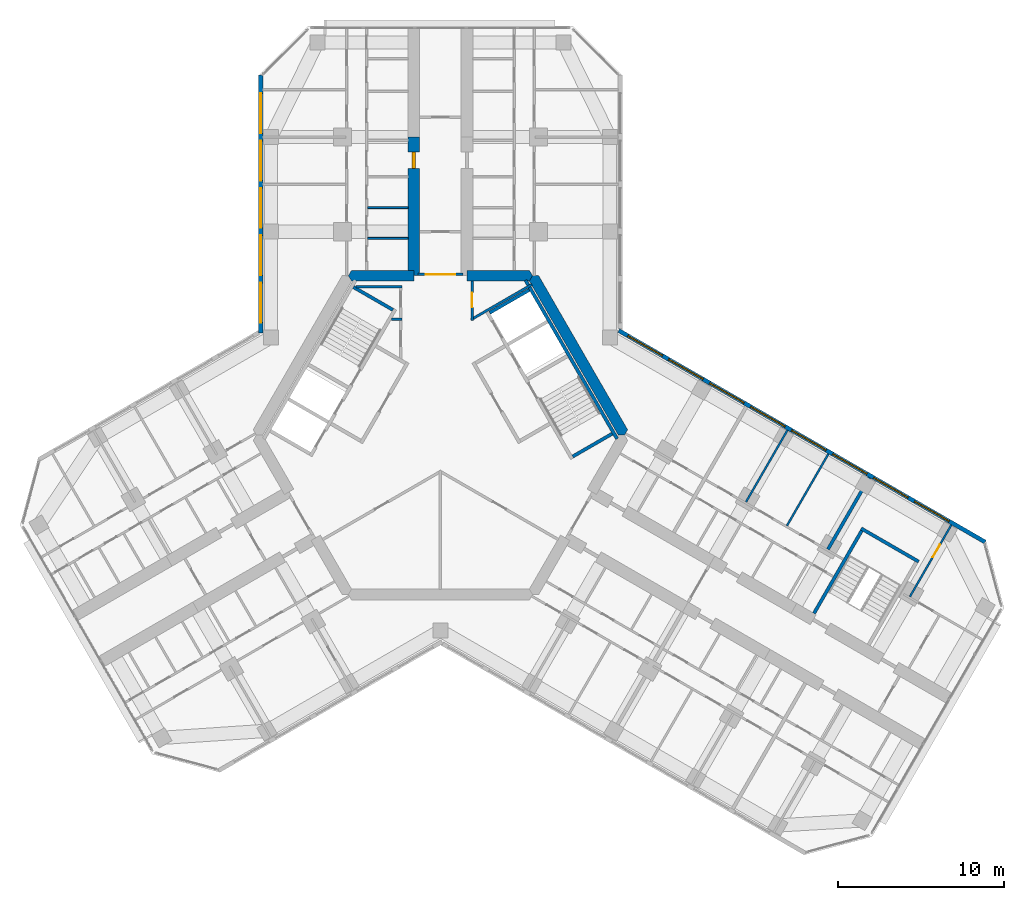
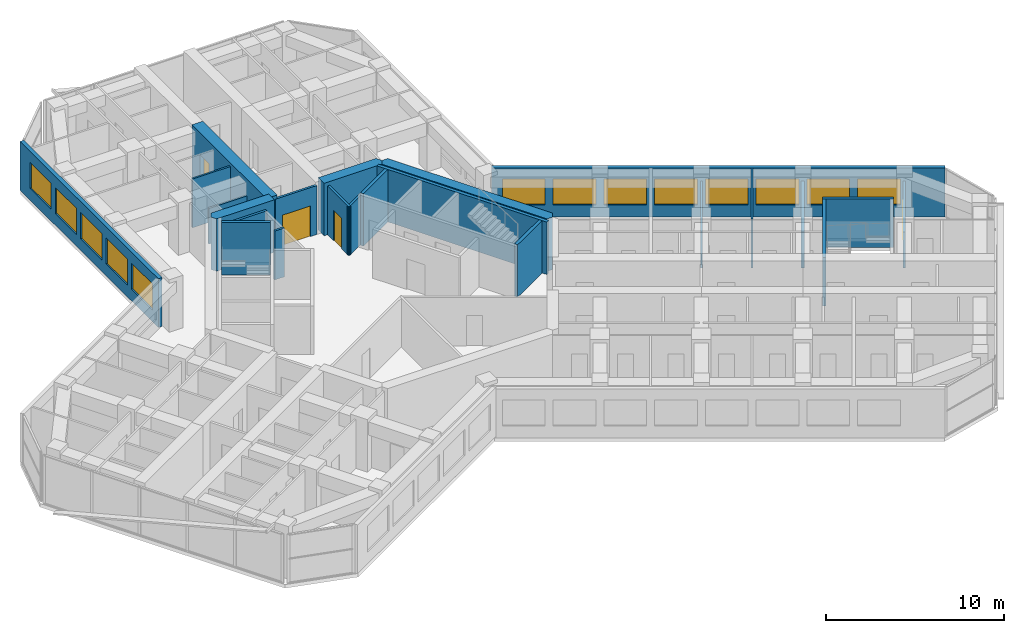
# One storey, part 13 of 16: 23 walls, 13 windows, 4 doors, 17 openings.
"""IFC4 building model written with IfcOpenShell, lengths in metres."""

from ifc_helpers import new_model, si_unit, direction, frame, frame_2d, origin, place, context, subcontext, project, spatial, polyline, rectangle, outline, extrude, material, layer, layer_set, type_object, element, fill, save


model = new_model("IFC4")

# Units and contexts
model_context = context("Model", 3, precision=1e-05, world=origin(), true_north=direction((0.0, 1.0)))
body_context = subcontext(model_context, "Body", "Model", "MODEL_VIEW")
ifc_project = project(units=[si_unit("LENGTHUNIT", "METRE"), si_unit("AREAUNIT", "SQUARE_METRE"), si_unit("VOLUMEUNIT", "CUBIC_METRE"), si_unit("PLANEANGLEUNIT", "RADIAN"), si_unit("MASSUNIT", "GRAM", prefix="KILO")], contexts=[model_context])

# Site, building, storey
site_placement = place(None, origin())
site = spatial("IfcSite", under=ifc_project, at=site_placement, CompositionType="ELEMENT")
building_placement = place(site_placement, origin())
building = spatial("IfcBuilding", under=site, at=building_placement, Name="Kosmar Iwan School Tower", CompositionType="ELEMENT")
storey_placement = place(building_placement, frame((0.0, 0.0, 201.0)))
storey = spatial("IfcBuildingStorey", under=building, at=storey_placement, Name="L50", CompositionType="ELEMENT", Elevation=201.0)

# Walls
ifc_material_1 = material(Name="Gypsum board on steel studs, fire-rated", Category="steel")
ifc_layer_1 = layer(ifc_material_1, 0.14990234375)
ifc_layer_set_1 = layer_set([ifc_layer_1], Name="Core room partition 150")
wall_type_1 = type_object("IfcWallType", Name="Core room partition 150", PredefinedType="PARTITIONING", material=ifc_layer_set_1)
wall_1_placement = place(storey_placement, frame((-2.324951171875, 6.985107421875, 0.0), z_axis=(0.0, 0.0, 1.0), x_axis=(-1.0, 0.0, 0.0)))
element("IfcWall", 1, at=wall_1_placement, inside=storey, type_object=wall_type_1, Name="Core room partition L50-CW2", PredefinedType="PARTITIONING", context=body_context, shape_type="SweptSolid", body=[
    extrude(rectangle(XDim=0.623779296875, YDim=0.14990234375, at=frame_2d((0.31201171875, 0.0))), origin(), (0.0, 0.0, 1.0), 3.35009765625),
])
wall_2_placement = place(storey_placement, frame((-5.089599609375, 8.93994140625, 0.0), z_axis=(0.0, 0.0, 1.0), x_axis=(1.0, 0.0, 0.0)))
element("IfcWall", 2, at=wall_2_placement, inside=storey, type_object=wall_type_1, Name="Core room partition L50-CW3", PredefinedType="PARTITIONING", context=body_context, shape_type="SweptSolid", body=[
    extrude(rectangle(XDim=2.7646484375, YDim=0.14990234375, at=frame_2d((1.38232421875, 0.0))), origin(), (0.0, 0.0, 1.0), 3.35009765625),
])
wall_3_placement = place(storey_placement, frame((5.499755859375, 9.064208984375, 0.0), z_axis=(0.0, 0.0, 1.0), x_axis=(-0.866040514841, -0.499973825969, 0.0)))
element("IfcWall", 3, at=wall_3_placement, inside=storey, type_object=wall_type_1, Name="Core room partition L50-CW8", PredefinedType="PARTITIONING", context=body_context, shape_type="SweptSolid", body=[
    extrude(rectangle(XDim=4.231689453125, YDim=0.14990234375, at=frame_2d((2.11572265625, 0.0))), origin(), (0.0, 0.0, 1.0), 3.35009765625),
])

# Wall, opening, door
wall_4_placement = place(storey_placement, frame((1.89990234375, 6.910888671875, 0.0), z_axis=(0.0, 0.0, 1.0), x_axis=(0.0, 1.0, 0.0)))
wall_4 = element("IfcWall", 4, at=wall_4_placement, inside=storey, type_object=wall_type_1, Name="Core room partition L50-CW9", PredefinedType="PARTITIONING", context=body_context, shape_type="SweptSolid", body=[
    extrude(rectangle(XDim=2.384033203125, YDim=0.14990234375, at=frame_2d((1.19189453125, 0.0))), origin(), (0.0, 0.0, 1.0), 3.35009765625),
])
opening_1_placement = place(wall_4_placement, frame((0.777099609375, 0.0, 0.0)))
opening_1 = element("IfcOpeningElement", 5, at=opening_1_placement, cuts=wall_4, Name="Opening D14", PredefinedType="OPENING", context=body_context, shape_type="SweptSolid", body=[
    extrude(rectangle(XDim=0.89990234375, YDim=2.10009765625, at=frame_2d((0.449951171875, 1.050048828125))), frame((0.0, 0.0869140625, 0.0), z_axis=(0.0, -1.0, 0.0), x_axis=(1.0, 0.0, 0.0)), (0.0, 0.0, 1.0), 0.173828125),
])
ifc_material_2 = material(Name="Timber fire door in steel frame", Category="steel")
door_type_1 = type_object("IfcDoorType", Name="Core room door 900x2100", OperationType="SINGLE_SWING_LEFT", PredefinedType="DOOR", material=ifc_material_2)
door_1_placement = place(opening_1_placement, origin())
door_1 = element("IfcDoor", 6, at=door_1_placement, inside=storey, type_object=door_type_1, Name="Water meter room door L50 5", OperationType="SINGLE_SWING_RIGHT", OverallHeight=2.10009765625, OverallWidth=0.89990234375, PredefinedType="DOOR", context=body_context, shape_type="SweptSolid", body=[
    extrude(rectangle(XDim=0.89990234375, YDim=2.10009765625, at=frame_2d((0.449951171875, 1.050048828125))), frame((0.0, 0.02490234375, 0.0), z_axis=(0.0, -1.0, 0.0), x_axis=(1.0, 0.0, 0.0)), (0.0, 0.0, 1.0), 0.050048828125),
])
fill(opening_1, door_1)

# Walls
ifc_material_3 = material(Name="Concrete C50/60", Category="concrete")
ifc_layer_2 = layer(ifc_material_3, 0.64990234375)
ifc_layer_set_2 = layer_set([ifc_layer_2], Name="Core wall 650")
wall_type_2 = type_object("IfcWallType", Name="Core wall 650", PredefinedType="SHEAR", material=ifc_layer_set_2)
wall_5_placement = place(storey_placement, origin())
element("IfcWall", 7, at=wall_5_placement, inside=storey, type_object=wall_type_2, Name="Core wall F030", PredefinedType="SHEAR", context=body_context, shape_type="SweptSolid", body=[
    extrude(outline(polyline([(10.7099609375, 0.0), (11.085205078125, 0.0), (11.272705078125, 0.324951171875), (5.917724609375, 9.60009765625), (5.54248046875, 9.60009765625), (5.35498046875, 9.27490234375), (10.7099609375, 0.0)])), origin(), (0.0, 0.0, 1.0), 3.60009765625),
])
wall_6_placement = place(storey_placement, origin())
element("IfcWall", 8, at=wall_6_placement, inside=storey, type_object=wall_type_2, Name="Core wall F090a", PredefinedType="SHEAR", context=body_context, shape_type="SweptSolid", body=[
    extrude(outline(polyline([(1.60009765625, 9.27490234375), (5.35498046875, 9.27490234375), (5.54248046875, 9.60009765625), (5.35498046875, 9.925048828125), (1.60009765625, 9.925048828125), (1.60009765625, 9.27490234375)])), origin(), (0.0, 0.0, 1.0), 3.60009765625),
])
wall_7_placement = place(storey_placement, origin())
element("IfcWall", 9, at=wall_7_placement, inside=storey, type_object=wall_type_2, Name="Core wall F090b", PredefinedType="SHEAR", context=body_context, shape_type="SweptSolid", body=[
    extrude(outline(polyline([(-5.35498046875, 9.27490234375), (-1.60009765625, 9.27490234375), (-1.60009765625, 9.925048828125), (-5.35498046875, 9.925048828125), (-5.54248046875, 9.60009765625), (-5.35498046875, 9.27490234375)])), origin(), (0.0, 0.0, 1.0), 3.60009765625),
])

# Wall, opening, door
ifc_material_4 = material(Name="Concrete C50/60", Category="concrete")
ifc_layer_3 = layer(ifc_material_4, 0.699951171875)
ifc_layer_set_3 = layer_set([ifc_layer_3], Name="Corridor buttress wall 700")
wall_type_3 = type_object("IfcWallType", Name="Corridor buttress wall 700", PredefinedType="SHEAR", material=ifc_layer_set_3)
wall_8_placement = place(storey_placement, frame((-1.60009765625, 9.60009765625, 0.0), z_axis=(0.0, 0.0, 1.0), x_axis=(0.0, 1.0, 0.0)))
wall_8 = element("IfcWall", 10, at=wall_8_placement, inside=storey, type_object=wall_type_3, Name="Corridor wall AL", PredefinedType="SHEAR", context=body_context, shape_type="SweptSolid", body=[
    extrude(rectangle(XDim=8.349853515625, YDim=0.699951171875, at=frame_2d((4.1748046875, 0.0))), origin(), (0.0, 0.0, 1.0), 3.60009765625),
])
opening_2_placement = place(wall_8_placement, frame((6.449951171875, 0.0, 0.0)))
opening_2 = element("IfcOpeningElement", 11, at=opening_2_placement, cuts=wall_8, Name="Opening D1", PredefinedType="OPENING", context=body_context, shape_type="SweptSolid", body=[
    extrude(rectangle(XDim=1.0, YDim=2.10009765625, at=frame_2d((0.5, 1.050048828125))), frame((0.0, 0.362060546875, 0.0), z_axis=(0.0, -1.0, 0.0), x_axis=(1.0, 0.0, 0.0)), (0.0, 0.0, 1.0), 0.723876953125),
])
ifc_material_5 = material(Name="Timber fire door in steel frame", Category="steel")
door_type_2 = type_object("IfcDoorType", Name="Flat entrance door 1000x2100", OperationType="SINGLE_SWING_LEFT", PredefinedType="DOOR", material=ifc_material_5)
door_2_placement = place(opening_2_placement, origin())
door_2 = element("IfcDoor", 12, at=door_2_placement, inside=storey, type_object=door_type_2, Name="Flat L50-AL1 entrance door", OperationType="SINGLE_SWING_LEFT", OverallHeight=2.10009765625, OverallWidth=1.0, PredefinedType="DOOR", context=body_context, shape_type="SweptSolid", body=[
    extrude(rectangle(XDim=1.0, YDim=2.10009765625, at=frame_2d((0.5, 1.050048828125))), frame((0.0, 0.10009765625, 0.0), z_axis=(0.0, -1.0, 0.0), x_axis=(1.0, 0.0, 0.0)), (0.0, 0.0, 1.0), 0.199951171875),
])
fill(opening_2, door_2)

ifc_material_6 = material(Name="Steel framed glazed screen", Category="steel")
ifc_layer_4 = layer(ifc_material_6, 0.14990234375)
ifc_layer_set_4 = layer_set([ifc_layer_4], Name="Corridor screen wall 150")
wall_type_4 = type_object("IfcWallType", Name="Corridor screen wall 150", PredefinedType="PARTITIONING", material=ifc_layer_set_4)
wall_9_placement = place(storey_placement, frame((1.35009765625, 9.675048828125, 0.0), z_axis=(0.0, 0.0, 1.0), x_axis=(-1.0, 0.0, 0.0)))
wall_9 = element("IfcWall", 13, at=wall_9_placement, inside=storey, type_object=wall_type_4, Name="Corridor screen A L50", PredefinedType="PARTITIONING", context=body_context, shape_type="SweptSolid", body=[
    extrude(rectangle(XDim=2.7001953125, YDim=0.14990234375, at=frame_2d((1.35009765625, 0.0))), origin(), (0.0, 0.0, 1.0), 3.35009765625),
])
opening_3_placement = place(wall_9_placement, frame((0.449951171875, 0.0, 0.0)))
opening_3 = element("IfcOpeningElement", 14, at=opening_3_placement, cuts=wall_9, Name="Opening D9", PredefinedType="OPENING", context=body_context, shape_type="SweptSolid", body=[
    extrude(rectangle(XDim=1.800048828125, YDim=2.10009765625, at=frame_2d((0.89990234375, 1.050048828125))), frame((0.0, 0.0869140625, 0.0), z_axis=(0.0, -1.0, 0.0), x_axis=(1.0, 0.0, 0.0)), (0.0, 0.0, 1.0), 0.173828125),
])
ifc_material_7 = material(Name="Steel framed glazed smoke door", Category="steel")
door_type_3 = type_object("IfcDoorType", Name="Corridor smoke door pair 1800x2100", OperationType="DOUBLE_DOOR_DOUBLE_SWING", PredefinedType="DOOR", material=ifc_material_7)
door_3_placement = place(opening_3_placement, origin())
door_3 = element("IfcDoor", 15, at=door_3_placement, inside=storey, type_object=door_type_3, Name="Corridor doors A L50", OperationType="DOUBLE_DOOR_DOUBLE_SWING", OverallHeight=2.10009765625, OverallWidth=1.800048828125, PredefinedType="DOOR", context=body_context, shape_type="SweptSolid", body=[
    extrude(rectangle(XDim=1.800048828125, YDim=2.10009765625, at=frame_2d((0.89990234375, 1.050048828125))), frame((0.0, 0.02490234375, 0.0), z_axis=(0.0, -1.0, 0.0), x_axis=(1.0, 0.0, 0.0)), (0.0, 0.0, 1.0), 0.050048828125),
])
fill(opening_3, door_3)

# Walls
ifc_material_8 = material(Name="Gypsum board on steel studs", Category="steel")
ifc_layer_5 = layer(ifc_material_8, 0.1201171875)
ifc_layer_set_5 = layer_set([ifc_layer_5], Name="Dwelling partition 120")
wall_type_5 = type_object("IfcWallType", Name="Dwelling partition 120", PredefinedType="PARTITIONING", material=ifc_layer_set_5)
wall_10_placement = place(storey_placement, frame((-1.949951171875, 11.85009765625, 0.0), z_axis=(0.0, 0.0, 1.0), x_axis=(-1.0, 0.0, 0.0)))
element("IfcWall", 16, at=wall_10_placement, inside=storey, type_object=wall_type_5, Name="Partition L50-AL1-Y1", PredefinedType="PARTITIONING", context=body_context, shape_type="SweptSolid", body=[
    extrude(rectangle(XDim=2.43994140625, YDim=0.1201171875, at=frame_2d((1.219970703125, 0.0))), origin(), (0.0, 0.0, 1.0), 2.449951171875),
])
wall_11_placement = place(storey_placement, frame((-1.949951171875, 13.699951171875, 0.0), z_axis=(0.0, 0.0, 1.0), x_axis=(-1.0, 0.0, 0.0)))
element("IfcWall", 17, at=wall_11_placement, inside=storey, type_object=wall_type_5, Name="Partition L50-AL1-Y2", PredefinedType="PARTITIONING", context=body_context, shape_type="SweptSolid", body=[
    extrude(rectangle(XDim=2.43994140625, YDim=0.1201171875, at=frame_2d((1.219970703125, 0.0))), origin(), (0.0, 0.0, 1.0), 3.35009765625),
])
wall_12_placement = place(storey_placement, frame((18.400146484375, -4.030029296875, 0.0), z_axis=(0.0, 0.0, 1.0), x_axis=(0.500011847778, 0.866018563358, 0.0)))
element("IfcWall", 18, at=wall_12_placement, inside=storey, type_object=wall_type_5, Name="Partition L50-CL2-X1", PredefinedType="PARTITIONING", context=body_context, shape_type="SweptSolid", body=[
    extrude(rectangle(XDim=4.990234375, YDim=0.1201171875, at=frame_2d((2.4951171875, 0.0))), origin(), (0.0, 0.0, 1.0), 2.449951171875),
])
wall_13_placement = place(storey_placement, frame((20.868408203125, -5.455078125, 0.0), z_axis=(0.0, 0.0, 1.0), x_axis=(0.499975153383, 0.86603974851, 0.0)))
element("IfcWall", 19, at=wall_13_placement, inside=storey, type_object=wall_type_5, Name="Partition L50-CL2-X2", PredefinedType="PARTITIONING", context=body_context, shape_type="SweptSolid", body=[
    extrude(rectangle(XDim=4.989990234375, YDim=0.1201171875, at=frame_2d((2.4951171875, 0.0))), origin(), (0.0, 0.0, 1.0), 3.35009765625),
])

# Wall, opening, door
wall_14_placement = place(storey_placement, frame((28.27294921875, -9.72998046875, 0.0), z_axis=(0.0, 0.0, 1.0), x_axis=(0.499975153383, 0.86603974851, 0.0)))
wall_14 = element("IfcWall", 20, at=wall_14_placement, inside=storey, type_object=wall_type_5, Name="Partition L50-CL3-TX", PredefinedType="PARTITIONING", context=body_context, shape_type="SweptSolid", body=[
    extrude(rectangle(XDim=4.989990234375, YDim=0.1201171875, at=frame_2d((2.4951171875, 0.0))), origin(), (0.0, 0.0, 1.0), 2.449951171875),
])
opening_4_placement = place(wall_14_placement, frame((2.739990234375, 0.0, 0.0)))
opening_4 = element("IfcOpeningElement", 21, at=opening_4_placement, cuts=wall_14, Name="Opening D2", PredefinedType="OPENING", context=body_context, shape_type="SweptSolid", body=[
    extrude(rectangle(XDim=0.89990234375, YDim=2.10009765625, at=frame_2d((0.449951171875, 1.050048828125))), frame((0.0, 0.072021484375, 0.0), z_axis=(0.0, -1.0, 0.0), x_axis=(1.0, 0.0, 0.0)), (0.0, 0.0, 1.0), 0.14404296875),
])
ifc_material_9 = material(Name="Timber door in timber frame", Category="wood")
door_type_4 = type_object("IfcDoorType", Name="Internal door 900x2100", OperationType="SINGLE_SWING_LEFT", PredefinedType="DOOR", material=ifc_material_9)
door_4_placement = place(opening_4_placement, origin())
door_4 = element("IfcDoor", 22, at=door_4_placement, inside=storey, type_object=door_type_4, Name="Bedroom 1 door L50-CL3-T1", OperationType="SINGLE_SWING_RIGHT", OverallHeight=2.10009765625, OverallWidth=0.89990234375, PredefinedType="DOOR", context=body_context, shape_type="SweptSolid", body=[
    extrude(rectangle(XDim=0.89990234375, YDim=2.10009765625, at=frame_2d((0.449951171875, 1.050048828125))), frame((0.0, 0.02490234375, 0.0), z_axis=(0.0, -1.0, 0.0), x_axis=(1.0, 0.0, 0.0)), (0.0, 0.0, 1.0), 0.050048828125),
])
fill(opening_4, door_4)

# Walls
ifc_material_10 = material(Name="Concrete C35/45", Category="concrete")
ifc_layer_6 = layer(ifc_material_10, 0.199951171875)
ifc_layer_set_6 = layer_set([ifc_layer_6], Name="Escape stair wall 200")
wall_type_6 = type_object("IfcWallType", Name="Escape stair wall 200", PredefinedType="SHEAR", material=ifc_layer_set_6)
wall_15_placement = place(storey_placement, frame((22.49560546875, -10.736328125, 0.0), z_axis=(0.0, 0.0, 1.0), x_axis=(0.500013701029, 0.866017493347, 0.0)))
element("IfcWall", 23, at=wall_15_placement, inside=storey, type_object=wall_type_6, Name="Stair WS3 wall", PredefinedType="SHEAR", context=body_context, shape_type="SweptSolid", body=[
    extrude(rectangle(XDim=5.949951171875, YDim=0.199951171875, at=frame_2d((2.97509765625, 0.0))), origin(), (0.0, 0.0, 1.0), 3.330078125),
])
wall_16_placement = place(storey_placement, frame((25.334228515625, -5.6201171875, 0.0), z_axis=(0.0, 0.0, 1.0), x_axis=(0.866026010844, -0.49999894854, 0.0)))
element("IfcWall", 24, at=wall_16_placement, inside=storey, type_object=wall_type_6, Name="Stair WS3 wall", PredefinedType="SHEAR", context=body_context, shape_type="SweptSolid", body=[
    extrude(rectangle(XDim=4.0, YDim=0.199951171875, at=frame_2d((2.0, 0.0))), origin(), (0.0, 0.0, 1.0), 3.330078125),
])

# Wall, openings, windows
ifc_material_11 = material(Name="Black aluminium rainscreen on insulated framing", Category="aluminium")
ifc_layer_7 = layer(ifc_material_11, 0.25)
ifc_layer_set_7 = layer_set([ifc_layer_7], Name="External wall rainscreen 250")
wall_type_7 = type_object("IfcWallType", Name="External wall rainscreen 250", PredefinedType="SOLIDWALL", material=ifc_layer_set_7)
wall_17_placement = place(storey_placement, frame((10.73681640625, 6.30078125, 0.0), z_axis=(0.0, 0.0, 1.0), x_axis=(0.866026390279, -0.499998291337, 0.0)))
wall_17 = element("IfcWall", 25, at=wall_17_placement, inside=storey, type_object=wall_type_7, Name="External wall CL L50", PredefinedType="SOLIDWALL", context=body_context, shape_type="SweptSolid", body=[
    extrude(rectangle(XDim=25.4873046875, YDim=0.25, at=frame_2d((12.74365234375, 0.0))), origin(), (0.0, 0.0, 1.0), 3.35009765625),
])
opening_5_placement = place(wall_17_placement, frame((0.626953125, 0.0, 0.800048828125)))
opening_5 = element("IfcOpeningElement", 26, at=opening_5_placement, cuts=wall_17, Name="Opening W5", PredefinedType="OPENING", context=body_context, shape_type="SweptSolid", body=[
    extrude(rectangle(XDim=2.39990234375, YDim=1.800048828125, at=frame_2d((1.199951171875, 0.89990234375))), frame((0.0, 0.136962890625, 0.0), z_axis=(0.0, -1.0, 0.0), x_axis=(1.0, 0.0, 0.0)), (0.0, 0.0, 1.0), 0.27392578125),
])
opening_6_placement = place(wall_17_placement, frame((3.47705078125, 0.0, 0.800048828125)))
opening_6 = element("IfcOpeningElement", 27, at=opening_6_placement, cuts=wall_17, Name="Opening W5", PredefinedType="OPENING", context=body_context, shape_type="SweptSolid", body=[
    extrude(rectangle(XDim=2.39990234375, YDim=1.800048828125, at=frame_2d((1.199951171875, 0.89990234375))), frame((0.0, 0.136962890625, 0.0), z_axis=(0.0, -1.0, 0.0), x_axis=(1.0, 0.0, 0.0)), (0.0, 0.0, 1.0), 0.27392578125),
])
opening_7_placement = place(wall_17_placement, frame((6.326904296875, 0.0, 0.800048828125)))
opening_7 = element("IfcOpeningElement", 28, at=opening_7_placement, cuts=wall_17, Name="Opening W5", PredefinedType="OPENING", context=body_context, shape_type="SweptSolid", body=[
    extrude(rectangle(XDim=2.39990234375, YDim=1.800048828125, at=frame_2d((1.199951171875, 0.89990234375))), frame((0.0, 0.136962890625, 0.0), z_axis=(0.0, -1.0, 0.0), x_axis=(1.0, 0.0, 0.0)), (0.0, 0.0, 1.0), 0.27392578125),
])
opening_8_placement = place(wall_17_placement, frame((9.177001953125, 0.0, 0.800048828125)))
opening_8 = element("IfcOpeningElement", 29, at=opening_8_placement, cuts=wall_17, Name="Opening W5", PredefinedType="OPENING", context=body_context, shape_type="SweptSolid", body=[
    extrude(rectangle(XDim=2.39990234375, YDim=1.800048828125, at=frame_2d((1.199951171875, 0.89990234375))), frame((0.0, 0.136962890625, 0.0), z_axis=(0.0, -1.0, 0.0), x_axis=(1.0, 0.0, 0.0)), (0.0, 0.0, 1.0), 0.27392578125),
])
opening_9_placement = place(wall_17_placement, frame((12.027099609375, 0.0, 0.800048828125)))
opening_9 = element("IfcOpeningElement", 30, at=opening_9_placement, cuts=wall_17, Name="Opening W5", PredefinedType="OPENING", context=body_context, shape_type="SweptSolid", body=[
    extrude(rectangle(XDim=2.39990234375, YDim=1.800048828125, at=frame_2d((1.199951171875, 0.89990234375))), frame((0.0, 0.136962890625, 0.0), z_axis=(0.0, -1.0, 0.0), x_axis=(1.0, 0.0, 0.0)), (0.0, 0.0, 1.0), 0.27392578125),
])
opening_10_placement = place(wall_17_placement, frame((14.876953125, 0.0, 0.800048828125)))
opening_10 = element("IfcOpeningElement", 31, at=opening_10_placement, cuts=wall_17, Name="Opening W5", PredefinedType="OPENING", context=body_context, shape_type="SweptSolid", body=[
    extrude(rectangle(XDim=2.39990234375, YDim=1.800048828125, at=frame_2d((1.199951171875, 0.89990234375))), frame((0.0, 0.136962890625, 0.0), z_axis=(0.0, -1.0, 0.0), x_axis=(1.0, 0.0, 0.0)), (0.0, 0.0, 1.0), 0.27392578125),
])
opening_11_placement = place(wall_17_placement, frame((17.72705078125, 0.0, 0.800048828125)))
opening_11 = element("IfcOpeningElement", 32, at=opening_11_placement, cuts=wall_17, Name="Opening W5", PredefinedType="OPENING", context=body_context, shape_type="SweptSolid", body=[
    extrude(rectangle(XDim=2.39990234375, YDim=1.800048828125, at=frame_2d((1.199951171875, 0.89990234375))), frame((0.0, 0.136962890625, 0.0), z_axis=(0.0, -1.0, 0.0), x_axis=(1.0, 0.0, 0.0)), (0.0, 0.0, 1.0), 0.27392578125),
])
opening_12_placement = place(wall_17_placement, frame((20.576904296875, 0.0, 0.800048828125)))
opening_12 = element("IfcOpeningElement", 33, at=opening_12_placement, cuts=wall_17, Name="Opening W5", PredefinedType="OPENING", context=body_context, shape_type="SweptSolid", body=[
    extrude(rectangle(XDim=2.39990234375, YDim=1.800048828125, at=frame_2d((1.199951171875, 0.89990234375))), frame((0.0, 0.136962890625, 0.0), z_axis=(0.0, -1.0, 0.0), x_axis=(1.0, 0.0, 0.0)), (0.0, 0.0, 1.0), 0.27392578125),
])
ifc_material_12 = material(Name="Black aluminium frame with dark triple glazing", Category="aluminium")
window_type = type_object("IfcWindowType", Name="Window 2400x1800", PartitioningType="SINGLE_PANEL", PredefinedType="WINDOW", material=ifc_material_12)
window_1_placement = place(opening_5_placement, origin())
window_1 = element("IfcWindow", 34, at=window_1_placement, inside=storey, type_object=window_type, Name="Window CL L50 -1", OverallHeight=1.800048828125, OverallWidth=2.39990234375, PartitioningType="SINGLE_PANEL", PredefinedType="WINDOW", context=body_context, shape_type="SweptSolid", body=[
    extrude(rectangle(XDim=2.39990234375, YDim=1.800048828125, at=frame_2d((1.199951171875, 0.89990234375))), frame((0.0, 0.030029296875, 0.0), z_axis=(0.0, -1.0, 0.0), x_axis=(1.0, 0.0, 0.0)), (0.0, 0.0, 1.0), 0.06005859375),
])
fill(opening_5, window_1)
window_2_placement = place(opening_6_placement, origin())
window_2 = element("IfcWindow", 35, at=window_2_placement, inside=storey, type_object=window_type, Name="Window CL L50 0", OverallHeight=1.800048828125, OverallWidth=2.39990234375, PartitioningType="SINGLE_PANEL", PredefinedType="WINDOW", context=body_context, shape_type="SweptSolid", body=[
    extrude(rectangle(XDim=2.39990234375, YDim=1.800048828125, at=frame_2d((1.199951171875, 0.89990234375))), frame((0.0, 0.030029296875, 0.0), z_axis=(0.0, -1.0, 0.0), x_axis=(1.0, 0.0, 0.0)), (0.0, 0.0, 1.0), 0.06005859375),
])
fill(opening_6, window_2)
window_3_placement = place(opening_7_placement, origin())
window_3 = element("IfcWindow", 36, at=window_3_placement, inside=storey, type_object=window_type, Name="Window CL L50 1", OverallHeight=1.800048828125, OverallWidth=2.39990234375, PartitioningType="SINGLE_PANEL", PredefinedType="WINDOW", context=body_context, shape_type="SweptSolid", body=[
    extrude(rectangle(XDim=2.39990234375, YDim=1.800048828125, at=frame_2d((1.199951171875, 0.89990234375))), frame((0.0, 0.030029296875, 0.0), z_axis=(0.0, -1.0, 0.0), x_axis=(1.0, 0.0, 0.0)), (0.0, 0.0, 1.0), 0.06005859375),
])
fill(opening_7, window_3)
window_4_placement = place(opening_8_placement, origin())
window_4 = element("IfcWindow", 37, at=window_4_placement, inside=storey, type_object=window_type, Name="Window CL L50 2", OverallHeight=1.800048828125, OverallWidth=2.39990234375, PartitioningType="SINGLE_PANEL", PredefinedType="WINDOW", context=body_context, shape_type="SweptSolid", body=[
    extrude(rectangle(XDim=2.39990234375, YDim=1.800048828125, at=frame_2d((1.199951171875, 0.89990234375))), frame((0.0, 0.030029296875, 0.0), z_axis=(0.0, -1.0, 0.0), x_axis=(1.0, 0.0, 0.0)), (0.0, 0.0, 1.0), 0.06005859375),
])
fill(opening_8, window_4)
window_5_placement = place(opening_9_placement, origin())
window_5 = element("IfcWindow", 38, at=window_5_placement, inside=storey, type_object=window_type, Name="Window CL L50 3", OverallHeight=1.800048828125, OverallWidth=2.39990234375, PartitioningType="SINGLE_PANEL", PredefinedType="WINDOW", context=body_context, shape_type="SweptSolid", body=[
    extrude(rectangle(XDim=2.39990234375, YDim=1.800048828125, at=frame_2d((1.199951171875, 0.89990234375))), frame((0.0, 0.030029296875, 0.0), z_axis=(0.0, -1.0, 0.0), x_axis=(1.0, 0.0, 0.0)), (0.0, 0.0, 1.0), 0.06005859375),
])
fill(opening_9, window_5)
window_6_placement = place(opening_10_placement, origin())
window_6 = element("IfcWindow", 39, at=window_6_placement, inside=storey, type_object=window_type, Name="Window CL L50 4", OverallHeight=1.800048828125, OverallWidth=2.39990234375, PartitioningType="SINGLE_PANEL", PredefinedType="WINDOW", context=body_context, shape_type="SweptSolid", body=[
    extrude(rectangle(XDim=2.39990234375, YDim=1.800048828125, at=frame_2d((1.199951171875, 0.89990234375))), frame((0.0, 0.030029296875, 0.0), z_axis=(0.0, -1.0, 0.0), x_axis=(1.0, 0.0, 0.0)), (0.0, 0.0, 1.0), 0.06005859375),
])
fill(opening_10, window_6)
window_7_placement = place(opening_11_placement, origin())
window_7 = element("IfcWindow", 40, at=window_7_placement, inside=storey, type_object=window_type, Name="Window CL L50 5", OverallHeight=1.800048828125, OverallWidth=2.39990234375, PartitioningType="SINGLE_PANEL", PredefinedType="WINDOW", context=body_context, shape_type="SweptSolid", body=[
    extrude(rectangle(XDim=2.39990234375, YDim=1.800048828125, at=frame_2d((1.199951171875, 0.89990234375))), frame((0.0, 0.030029296875, 0.0), z_axis=(0.0, -1.0, 0.0), x_axis=(1.0, 0.0, 0.0)), (0.0, 0.0, 1.0), 0.06005859375),
])
fill(opening_11, window_7)
window_8_placement = place(opening_12_placement, origin())
window_8 = element("IfcWindow", 41, at=window_8_placement, inside=storey, type_object=window_type, Name="Window CL L50 6", OverallHeight=1.800048828125, OverallWidth=2.39990234375, PartitioningType="SINGLE_PANEL", PredefinedType="WINDOW", context=body_context, shape_type="SweptSolid", body=[
    extrude(rectangle(XDim=2.39990234375, YDim=1.800048828125, at=frame_2d((1.199951171875, 0.89990234375))), frame((0.0, 0.030029296875, 0.0), z_axis=(0.0, -1.0, 0.0), x_axis=(1.0, 0.0, 0.0)), (0.0, 0.0, 1.0), 0.06005859375),
])
fill(opening_12, window_8)

wall_18_placement = place(storey_placement, frame((-10.824951171875, 6.14794921875, 0.0), z_axis=(0.0, 0.0, 1.0), x_axis=(0.0, 1.0, 0.0)))
wall_18 = element("IfcWall", 42, at=wall_18_placement, inside=storey, type_object=wall_type_7, Name="External wall AL L50", PredefinedType="SOLIDWALL", context=body_context, shape_type="SweptSolid", body=[
    extrude(rectangle(XDim=15.537353515625, YDim=0.25, at=frame_2d((7.7685546875, 0.0))), origin(), (0.0, 0.0, 1.0), 3.35009765625),
])
opening_13_placement = place(wall_18_placement, frame((0.626953125, 0.0, 0.800048828125)))
opening_13 = element("IfcOpeningElement", 43, at=opening_13_placement, cuts=wall_18, Name="Opening W5", PredefinedType="OPENING", context=body_context, shape_type="SweptSolid", body=[
    extrude(rectangle(XDim=2.39990234375, YDim=1.800048828125, at=frame_2d((1.199951171875, 0.89990234375))), frame((0.0, 0.136962890625, 0.0), z_axis=(0.0, -1.0, 0.0), x_axis=(1.0, 0.0, 0.0)), (0.0, 0.0, 1.0), 0.27392578125),
])
opening_14_placement = place(wall_18_placement, frame((3.47705078125, 0.0, 0.800048828125)))
opening_14 = element("IfcOpeningElement", 44, at=opening_14_placement, cuts=wall_18, Name="Opening W5", PredefinedType="OPENING", context=body_context, shape_type="SweptSolid", body=[
    extrude(rectangle(XDim=2.39990234375, YDim=1.800048828125, at=frame_2d((1.199951171875, 0.89990234375))), frame((0.0, 0.136962890625, 0.0), z_axis=(0.0, -1.0, 0.0), x_axis=(1.0, 0.0, 0.0)), (0.0, 0.0, 1.0), 0.27392578125),
])
opening_15_placement = place(wall_18_placement, frame((6.326904296875, 0.0, 0.800048828125)))
opening_15 = element("IfcOpeningElement", 45, at=opening_15_placement, cuts=wall_18, Name="Opening W5", PredefinedType="OPENING", context=body_context, shape_type="SweptSolid", body=[
    extrude(rectangle(XDim=2.39990234375, YDim=1.800048828125, at=frame_2d((1.199951171875, 0.89990234375))), frame((0.0, 0.136962890625, 0.0), z_axis=(0.0, -1.0, 0.0), x_axis=(1.0, 0.0, 0.0)), (0.0, 0.0, 1.0), 0.27392578125),
])
opening_16_placement = place(wall_18_placement, frame((9.177001953125, 0.0, 0.800048828125)))
opening_16 = element("IfcOpeningElement", 46, at=opening_16_placement, cuts=wall_18, Name="Opening W5", PredefinedType="OPENING", context=body_context, shape_type="SweptSolid", body=[
    extrude(rectangle(XDim=2.39990234375, YDim=1.800048828125, at=frame_2d((1.199951171875, 0.89990234375))), frame((0.0, 0.136962890625, 0.0), z_axis=(0.0, -1.0, 0.0), x_axis=(1.0, 0.0, 0.0)), (0.0, 0.0, 1.0), 0.27392578125),
])
opening_17_placement = place(wall_18_placement, frame((12.027099609375, 0.0, 0.800048828125)))
opening_17 = element("IfcOpeningElement", 47, at=opening_17_placement, cuts=wall_18, Name="Opening W5", PredefinedType="OPENING", context=body_context, shape_type="SweptSolid", body=[
    extrude(rectangle(XDim=2.39990234375, YDim=1.800048828125, at=frame_2d((1.199951171875, 0.89990234375))), frame((0.0, 0.136962890625, 0.0), z_axis=(0.0, -1.0, 0.0), x_axis=(1.0, 0.0, 0.0)), (0.0, 0.0, 1.0), 0.27392578125),
])
window_9_placement = place(opening_13_placement, origin())
window_9 = element("IfcWindow", 48, at=window_9_placement, inside=storey, type_object=window_type, Name="Window AL L50 -1", OverallHeight=1.800048828125, OverallWidth=2.39990234375, PartitioningType="SINGLE_PANEL", PredefinedType="WINDOW", context=body_context, shape_type="SweptSolid", body=[
    extrude(rectangle(XDim=2.39990234375, YDim=1.800048828125, at=frame_2d((1.199951171875, 0.89990234375))), frame((0.0, 0.030029296875, 0.0), z_axis=(0.0, -1.0, 0.0), x_axis=(1.0, 0.0, 0.0)), (0.0, 0.0, 1.0), 0.06005859375),
])
fill(opening_13, window_9)
window_10_placement = place(opening_14_placement, origin())
window_10 = element("IfcWindow", 49, at=window_10_placement, inside=storey, type_object=window_type, Name="Window AL L50 0", OverallHeight=1.800048828125, OverallWidth=2.39990234375, PartitioningType="SINGLE_PANEL", PredefinedType="WINDOW", context=body_context, shape_type="SweptSolid", body=[
    extrude(rectangle(XDim=2.39990234375, YDim=1.800048828125, at=frame_2d((1.199951171875, 0.89990234375))), frame((0.0, 0.030029296875, 0.0), z_axis=(0.0, -1.0, 0.0), x_axis=(1.0, 0.0, 0.0)), (0.0, 0.0, 1.0), 0.06005859375),
])
fill(opening_14, window_10)
window_11_placement = place(opening_15_placement, origin())
window_11 = element("IfcWindow", 50, at=window_11_placement, inside=storey, type_object=window_type, Name="Window AL L50 1", OverallHeight=1.800048828125, OverallWidth=2.39990234375, PartitioningType="SINGLE_PANEL", PredefinedType="WINDOW", context=body_context, shape_type="SweptSolid", body=[
    extrude(rectangle(XDim=2.39990234375, YDim=1.800048828125, at=frame_2d((1.199951171875, 0.89990234375))), frame((0.0, 0.030029296875, 0.0), z_axis=(0.0, -1.0, 0.0), x_axis=(1.0, 0.0, 0.0)), (0.0, 0.0, 1.0), 0.06005859375),
])
fill(opening_15, window_11)
window_12_placement = place(opening_16_placement, origin())
window_12 = element("IfcWindow", 51, at=window_12_placement, inside=storey, type_object=window_type, Name="Window AL L50 2", OverallHeight=1.800048828125, OverallWidth=2.39990234375, PartitioningType="SINGLE_PANEL", PredefinedType="WINDOW", context=body_context, shape_type="SweptSolid", body=[
    extrude(rectangle(XDim=2.39990234375, YDim=1.800048828125, at=frame_2d((1.199951171875, 0.89990234375))), frame((0.0, 0.030029296875, 0.0), z_axis=(0.0, -1.0, 0.0), x_axis=(1.0, 0.0, 0.0)), (0.0, 0.0, 1.0), 0.06005859375),
])
fill(opening_16, window_12)
window_13_placement = place(opening_17_placement, origin())
window_13 = element("IfcWindow", 52, at=window_13_placement, inside=storey, type_object=window_type, Name="Window AL L50 3", OverallHeight=1.800048828125, OverallWidth=2.39990234375, PartitioningType="SINGLE_PANEL", PredefinedType="WINDOW", context=body_context, shape_type="SweptSolid", body=[
    extrude(rectangle(XDim=2.39990234375, YDim=1.800048828125, at=frame_2d((1.199951171875, 0.89990234375))), frame((0.0, 0.030029296875, 0.0), z_axis=(0.0, -1.0, 0.0), x_axis=(1.0, 0.0, 0.0)), (0.0, 0.0, 1.0), 0.06005859375),
])
fill(opening_17, window_13)

# Walls
ifc_material_13 = material(Name="Concrete C50/60", Category="concrete")
ifc_layer_8 = layer(ifc_material_13, 0.199951171875)
ifc_layer_set_8 = layer_set([ifc_layer_8], Name="Lift shaft wall 200")
wall_type_8 = type_object("IfcWallType", Name="Lift shaft wall 200", PredefinedType="SHEAR", material=ifc_layer_set_8)
wall_19_placement = place(storey_placement, frame((10.6376953125, -0.22509765625, 0.0), z_axis=(0.0, 0.0, 1.0), x_axis=(-0.49999650507, 0.866027421574, 0.0)))
element("IfcWall", 53, at=wall_19_placement, inside=storey, type_object=wall_type_8, Name="Lift and stair back wall AC", PredefinedType="SHEAR", context=body_context, shape_type="SweptSolid", body=[
    extrude(rectangle(XDim=11.02734375, YDim=0.199951171875, at=frame_2d((5.513671875, 0.0))), origin(), (0.0, 0.0, 1.0), 3.60009765625),
])
wall_20_placement = place(storey_placement, frame((2.962646484375, 7.368408203125, 0.0), z_axis=(0.0, 0.0, 1.0), x_axis=(0.866027397988, 0.499996545922, 0.0)))
element("IfcWall", 54, at=wall_20_placement, inside=storey, type_object=wall_type_8, Name="Lift shaft wall AC 2", PredefinedType="SHEAR", context=body_context, shape_type="SweptSolid", body=[
    extrude(rectangle(XDim=2.75, YDim=0.199951171875, at=frame_2d((1.375, 0.0))), origin(), (0.0, 0.0, 1.0), 3.60009765625),
])
ifc_material_14 = material(Name="Concrete block masonry", Category="masonry")
ifc_layer_9 = layer(ifc_material_14, 0.199951171875)
ifc_layer_set_9 = layer_set([ifc_layer_9], Name="Party wall 200")
wall_type_9 = type_object("IfcWallType", Name="Party wall 200", PredefinedType="PARTITIONING", material=ifc_layer_set_9)
wall_21_placement = place(storey_placement, frame((23.33642578125, -6.8798828125, 0.0), z_axis=(0.0, 0.0, 1.0), x_axis=(0.500033033937, 0.866006330792, 0.0)))
element("IfcWall", 55, at=wall_21_placement, inside=storey, type_object=wall_type_9, Name="Partition L50-CL3-TB", PredefinedType="PARTITIONING", context=body_context, shape_type="SweptSolid", body=[
    extrude(rectangle(XDim=4.989990234375, YDim=0.199951171875, at=frame_2d((2.4951171875, 0.0))), origin(), (0.0, 0.0, 1.0), 2.449951171875),
])
ifc_material_15 = material(Name="Concrete C50/60", Category="concrete")
ifc_layer_10 = layer(ifc_material_15, 0.199951171875)
ifc_layer_set_10 = layer_set([ifc_layer_10], Name="Stair enclosure wall 200")
wall_type_10 = type_object("IfcWallType", Name="Stair enclosure wall 200", PredefinedType="SHEAR", material=ifc_layer_set_10)
for number, where, z_axis, x_axis, name in (
    (56, (-2.862548828125, 7.541748046875, 0.0), (0.0, 0.0, 1.0), (-0.866027397988, 0.499996545922, 0.0), "Stair ST2 wall"),
    (57, (7.962646484375, -1.291748046875, 0.0), (0.0, 0.0, 1.0), (0.866027397988, 0.499996545922, 0.0), "Stair ST1 wall"),
):
    element("IfcWall", number, at=place(storey_placement, frame(where, z_axis=z_axis, x_axis=x_axis)), inside=storey, type_object=wall_type_10, Name=name, PredefinedType="SHEAR", context=body_context, shape_type="SweptSolid", body=[
        extrude(rectangle(XDim=2.75, YDim=0.199951171875, at=frame_2d((1.375, 0.0))), origin(), (0.0, 0.0, 1.0), 3.60009765625),
    ])

save(model, "model.ifc")
